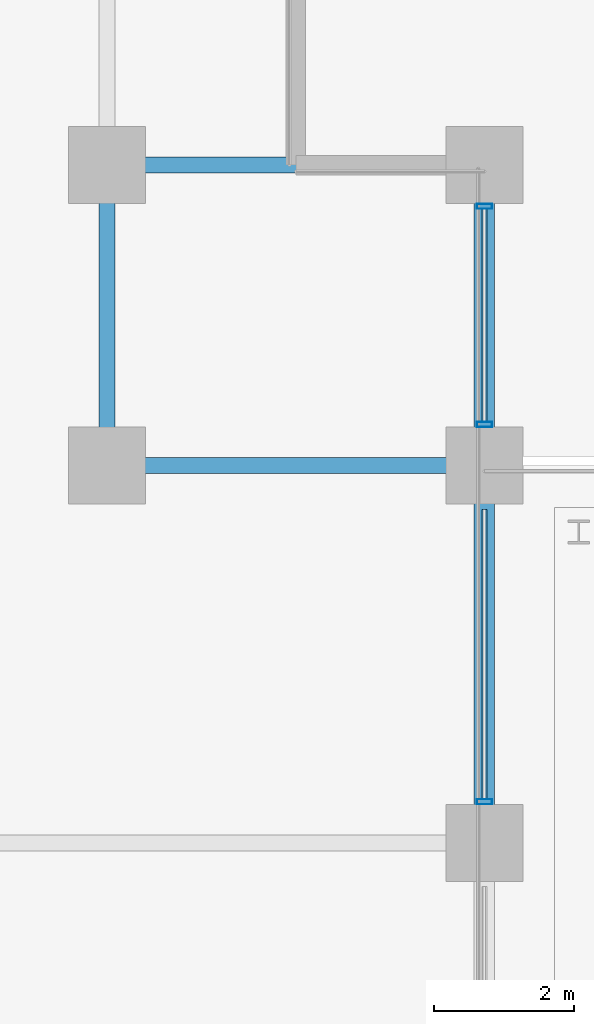
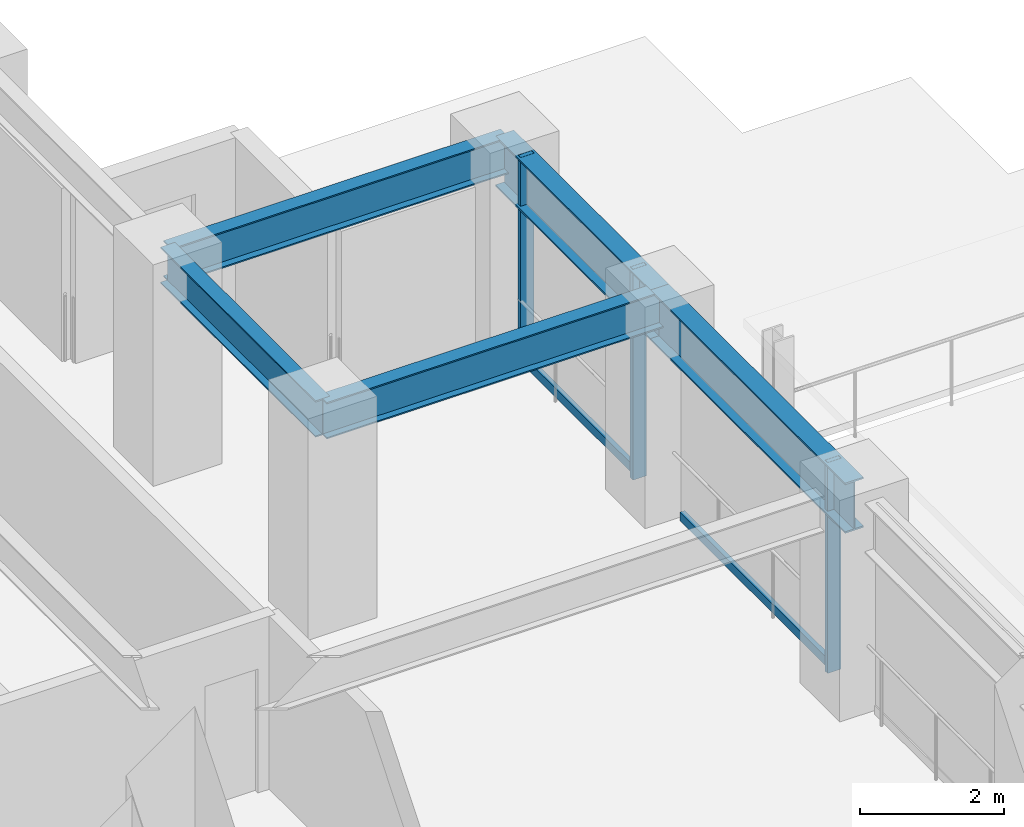
# One storey, part 16 of 30: 5 beams, 5 members, 1 element without a shape of its own.
"""IFC4 building model written with IfcOpenShell, lengths in metres."""

from ifc_helpers import new_model, si_unit, direction, frame, origin, origin_2d, place, context, subcontext, project, spatial, hollow_rectangle, i_section, extrude, material, layer, layer_set, material_profile, profile_set, type_object, element, aggregate, save


model = new_model("IFC4")

# Units and contexts
model_context = context("Model", 3, precision=1e-05, world=origin(), true_north=direction((0.0, 1.0)))
body_context = subcontext(model_context, "Body", "Model", "MODEL_VIEW")
ifc_project = project(units=[si_unit("LENGTHUNIT", "METRE"), si_unit("AREAUNIT", "SQUARE_METRE"), si_unit("VOLUMEUNIT", "CUBIC_METRE"), si_unit("PLANEANGLEUNIT", "RADIAN"), si_unit("MASSUNIT", "GRAM", prefix="KILO")], contexts=[model_context])

# Site, building, storey
site_placement = place(None, origin())
site = spatial("IfcSite", under=ifc_project, at=site_placement, CompositionType="ELEMENT")
building_placement = place(site_placement, origin())
building = spatial("IfcBuilding", under=site, at=building_placement, Name="Surkhivell Harbour Commons", CompositionType="ELEMENT")
storey_placement = place(building_placement, frame((0.0, 0.0, 83.25)))
storey = spatial("IfcBuildingStorey", under=building, at=storey_placement, Name="L21", CompositionType="ELEMENT", Elevation=83.25)

# Beams
ifc_material_1 = material(Name="Steel S355", Category="steel")
ifc_material_profile_1 = material_profile(ifc_material_1, i_section(OverallWidth=0.22998046875, OverallDepth=0.616943359375, WebThickness=0.01318359375, FlangeThickness=0.022216796875, at=origin_2d()), Name="UB610x229x140")
ifc_profile_set_1 = profile_set([ifc_material_profile_1], Name="Steel S355")
beam_type_1 = type_object("IfcBeamType", Name="BM-GRD-610B", PredefinedType="BEAM", material=ifc_profile_set_1)
beam_1_placement = place(storey_placement, frame((16.199951171875, 16.199951171875, 3.261474609375), z_axis=(0.0, 1.0, 0.0), x_axis=(-1.0, 0.0, 0.0)))
element("IfcBeam", 1, at=beam_1_placement, inside=storey, type_object=beam_type_1, Name="L21 Floor Girder (16.2,16.2)", PredefinedType="BEAM", context=body_context, shape_type="SweptSolid", body=[
    extrude(i_section(OverallWidth=0.22998046875, OverallDepth=0.616943359375, WebThickness=0.01318359375, FlangeThickness=0.022216796875, at=origin_2d()), origin(), (0.0, 0.0, 1.0), 4.300048828125),
])
for number, where, z_axis, x_axis, name in (
    (2, (16.199951171875, 16.199951171875, 3.261474609375), (1.0, 0.0, 0.0), (0.0, 1.0, 0.0), "L21 Floor Girder (16.2,16.2)"),
    (3, (16.199951171875, 20.5, 3.261474609375), (1.0, 0.0, 0.0), (0.0, 1.0, 0.0), "L21 Floor Girder (16.2,20.5)"),
):
    element("IfcBeam", number, at=place(storey_placement, frame(where, z_axis=z_axis, x_axis=x_axis)), inside=storey, type_object=beam_type_1, Name=name, PredefinedType="BEAM", context=body_context, shape_type="SweptSolid", body=[
        extrude(i_section(OverallWidth=0.22998046875, OverallDepth=0.616943359375, WebThickness=0.01318359375, FlangeThickness=0.022216796875, at=origin_2d()), origin(), (0.0, 0.0, 1.0), 5.400146484375),
    ])
ifc_material_2 = material(Name="Steel S460", Category="steel")
ifc_material_profile_2 = material_profile(ifc_material_2, i_section(OverallWidth=0.2939453125, OverallDepth=0.85107421875, WebThickness=0.01611328125, FlangeThickness=0.02685546875, at=origin_2d()), Name="UB838x292x226")
ifc_profile_set_2 = profile_set([ifc_material_profile_2], Name="Steel S460")
beam_type_2 = type_object("IfcBeamType", Name="BM-SPN-838", PredefinedType="SPANDREL", material=ifc_profile_set_2)
beam_2_placement = place(storey_placement, frame((21.60009765625, 10.800048828125, 3.14453125), z_axis=(0.0, 1.0, 0.0), x_axis=(-1.0, 0.0, 0.0)))
element("IfcBeam", 4, at=beam_2_placement, inside=storey, type_object=beam_type_2, Name="L21 Tube Spandrel (21.6,10.8)", PredefinedType="SPANDREL", context=body_context, shape_type="SweptSolid", body=[
    extrude(i_section(OverallWidth=0.2939453125, OverallDepth=0.85107421875, WebThickness=0.01611328125, FlangeThickness=0.02685546875, at=origin_2d()), origin(), (0.0, 0.0, 1.0), 5.39990234375),
])
beam_3_placement = place(storey_placement, frame((21.60009765625, 16.199951171875, 3.14453125), z_axis=(0.0, 1.0, 0.0), x_axis=(-1.0, 0.0, 0.0)))
element("IfcBeam", 5, at=beam_3_placement, inside=storey, type_object=beam_type_2, Name="L21 Tube Spandrel (21.6,16.2)", PredefinedType="SPANDREL", context=body_context, shape_type="SweptSolid", body=[
    extrude(i_section(OverallWidth=0.2939453125, OverallDepth=0.85107421875, WebThickness=0.01611328125, FlangeThickness=0.02685546875, at=origin_2d()), origin(), (0.0, 0.0, 1.0), 4.300048828125),
])

# Curtain wall, members
ifc_material_3 = material(Name="Anodised pale-metal aluminium and insulated glazing", Category="aluminium")
ifc_layer = layer(ifc_material_3, 0.205078125)
ifc_layer_set = layer_set([ifc_layer], Name="Anodised pale-metal aluminium and insulated glazing")
curtain_wall_type = type_object("IfcCurtainWallType", Name="CW-SYS-Z2", PredefinedType="NOTDEFINED", material=ifc_layer_set)
curtain_wall_placement = place(storey_placement, origin())
curtain_wall = element("IfcCurtainWall", 6, at=curtain_wall_placement, inside=storey, type_object=curtain_wall_type, Name="L21 Curtain Wall CW-L21-E02B", PredefinedType="NOTDEFINED")
ifc_material_4 = material(Name="Anodised pale-metal aluminium alloy 6063-T6", Category="aluminium")
ifc_material_profile_3 = material_profile(ifc_material_4, hollow_rectangle(XDim=0.074951171875, YDim=0.219970703125, WallThickness=0.00390625, at=origin_2d()), Name="ALU-MULL-75x220")
ifc_profile_set_3 = profile_set([ifc_material_profile_3], Name="Anodised pale-metal aluminium alloy 6063-T6")
member_type_1 = type_object("IfcMemberType", Name="CWM-220", PredefinedType="MULLION", material=ifc_profile_set_3)
member_1_placement = place(storey_placement, frame((21.60009765625, 11.389404296875, 0.0), z_axis=(0.0, 0.0, 1.0), x_axis=(0.0, 1.0, 0.0)))
member_1 = element("IfcMember", 7, at=member_1_placement, type_object=member_type_1, Name="CW-Z2 mullion 2", PredefinedType="MULLION", context=body_context, shape_type="SweptSolid", body=[
    extrude(hollow_rectangle(XDim=0.074951171875, YDim=0.219970703125, WallThickness=0.00390625, at=origin_2d()), origin(), (0.0, 0.0, 1.0), 3.570068359375),
])
member_2_placement = place(storey_placement, frame((21.60009765625, 16.78955078125, 0.0), z_axis=(0.0, 0.0, 1.0), x_axis=(0.0, 1.0, 0.0)))
member_2 = element("IfcMember", 8, at=member_2_placement, type_object=member_type_1, Name="CW-Z2 mullion 3", PredefinedType="MULLION", context=body_context, shape_type="SweptSolid", body=[
    extrude(hollow_rectangle(XDim=0.074951171875, YDim=0.219970703125, WallThickness=0.00390625, at=origin_2d()), origin(), (0.0, 0.0, 1.0), 3.570068359375),
])
member_3_placement = place(storey_placement, frame((21.60009765625, 19.910400390625, 0.0), z_axis=(0.0, 0.0, 1.0), x_axis=(0.0, 1.0, 0.0)))
member_3 = element("IfcMember", 9, at=member_3_placement, type_object=member_type_1, Name="CW-Z2 mullion 4", PredefinedType="MULLION", context=body_context, shape_type="SweptSolid", body=[
    extrude(hollow_rectangle(XDim=0.074951171875, YDim=0.219970703125, WallThickness=0.00390625, at=origin_2d()), origin(), (0.0, 0.0, 1.0), 3.570068359375),
])
ifc_material_profile_4 = material_profile(ifc_material_4, hollow_rectangle(XDim=0.074951171875, YDim=0.14990234375, WallThickness=0.00341796875, at=origin_2d()), Name="ALU-TRAN-75x150")
ifc_profile_set_4 = profile_set([ifc_material_profile_4], Name="Anodised pale-metal aluminium alloy 6063-T6")
member_type_2 = type_object("IfcMemberType", Name="CWT-150", PredefinedType="USERDEFINED", material=ifc_profile_set_4)
member_4_placement = place(storey_placement, frame((21.60009765625, 11.427001953125, 0.074951171875), z_axis=(0.0, 1.0, 0.0), x_axis=(-1.0, 0.0, 0.0)))
member_4 = element("IfcMember", 10, at=member_4_placement, type_object=member_type_2, Name="CW-Z2 transom 2.1", ObjectType="TRANSOM", PredefinedType="USERDEFINED", context=body_context, shape_type="SweptSolid", body=[
    extrude(hollow_rectangle(XDim=0.074951171875, YDim=0.14990234375, WallThickness=0.00341796875, at=origin_2d()), origin(), (0.0, 0.0, 1.0), 4.14599609375),
])
member_5_placement = place(storey_placement, frame((21.60009765625, 16.826904296875, 0.074951171875), z_axis=(0.0, 1.0, 0.0), x_axis=(-1.0, 0.0, 0.0)))
member_5 = element("IfcMember", 11, at=member_5_placement, type_object=member_type_2, Name="CW-Z2 transom 3.1", ObjectType="TRANSOM", PredefinedType="USERDEFINED", context=body_context, shape_type="SweptSolid", body=[
    extrude(hollow_rectangle(XDim=0.074951171875, YDim=0.14990234375, WallThickness=0.00341796875, at=origin_2d()), origin(), (0.0, 0.0, 1.0), 3.046142578125),
])
aggregate(curtain_wall, [member_1, member_4, member_2, member_3, member_5])

save(model, "model.ifc")
